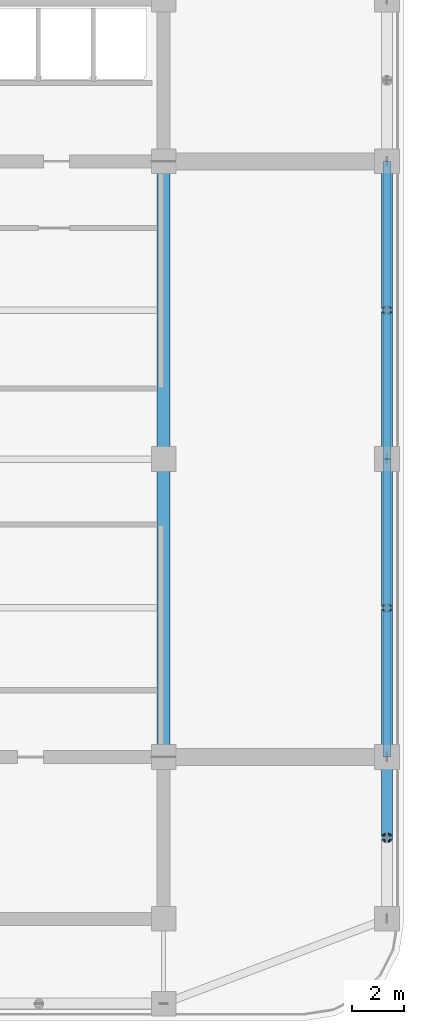
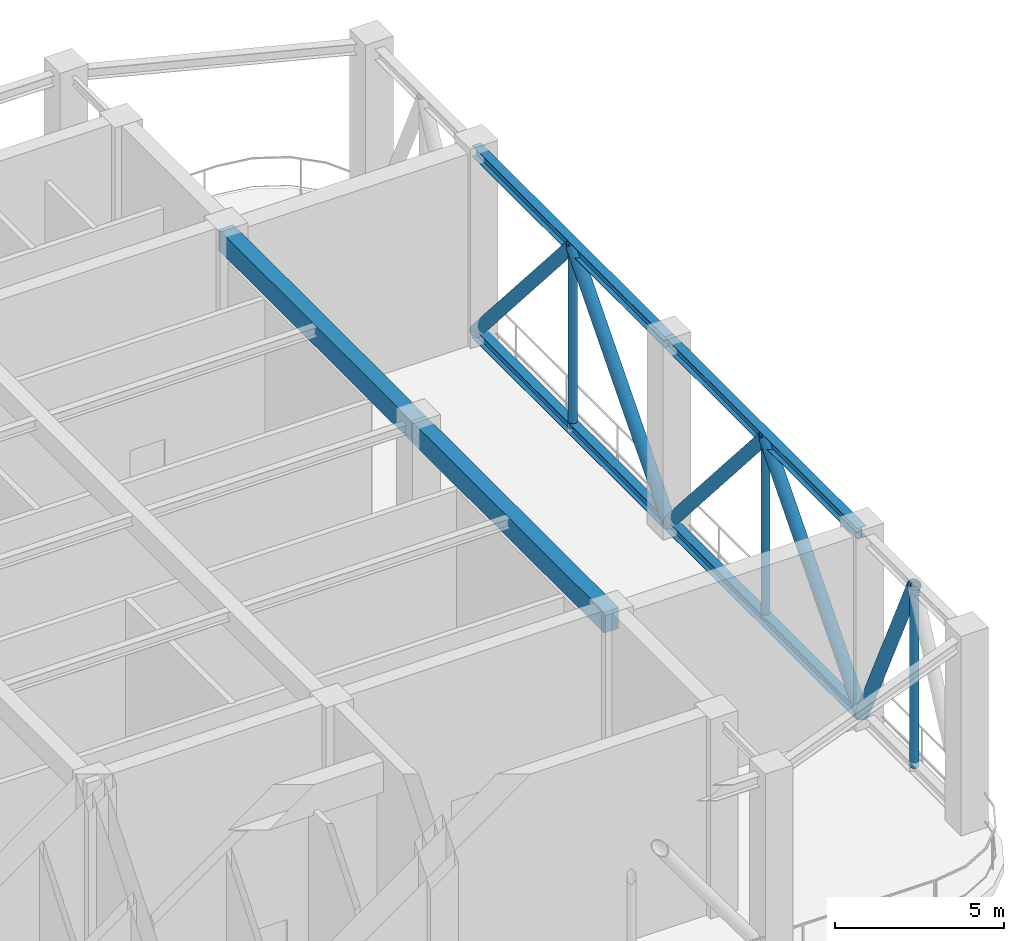
# One storey, part 6 of 20: 8 members, 6 beams.
"""IFC4 building model written with IfcOpenShell, lengths in metres."""

import ifcopenshell
import ifcopenshell.guid

model = None  # the IFC model being written
_history = None  # IfcOwnerHistory: only IFC2X3 demands one
_inside = {}  # id of a spatial element -> (the spatial element, [elements in it])
_under = {}  # id of a project, library or spatial element -> (it, [spatial elements below it])
_declared = {}  # id of a project -> (the project, [libraries it declares])
_typed = {}  # id of a type object -> (the type object, [elements of that type])
_made_of = {}  # id of a material, layer set ... -> (it, [elements and type objects made of it])


def new_model(schema):
    """Start an empty IFC model of exactly this schema.

    Asked for "IFC4X3", IfcOpenShell would pick the latest addendum, in which some entities
    have other attributes; the version numbers below select the first issue.
    IFC2X3 requires an IfcOwnerHistory on every rooted entity: one is made here for all.
    """
    global model, _history
    if schema == "IFC4X3":
        model = ifcopenshell.file(schema_version=(4, 3, 0, 0))
    else:
        model = ifcopenshell.file(schema=schema)
    _inside.clear()
    _under.clear()
    _declared.clear()
    _typed.clear()
    _made_of.clear()
    _history = None
    if model.schema == "IFC2X3":
        org = make("IfcOrganization", Name="unknown")
        user = make(
            "IfcPersonAndOrganization",
            ThePerson=make("IfcPerson", FamilyName="unknown"),
            TheOrganization=org,
        )
        app = make(
            "IfcApplication",
            ApplicationDeveloper=org,
            Version="unknown",
            ApplicationFullName="unknown",
            ApplicationIdentifier="unknown",
        )
        _history = make(
            "IfcOwnerHistory",
            OwningUser=user,
            OwningApplication=app,
            ChangeAction="ADDED",
            CreationDate=0,
        )
    return model


def make(cls, **values):
    """One entity of the class cls with the attributes given. An attribute that is None is left unset."""
    return model.create_entity(
        cls, **{name: value for name, value in values.items() if value is not None}
    )


def rooted(cls, **values):
    """An entity with a GlobalId (a new one), such as an element, a storey or a relation."""
    return make(cls, GlobalId=ifcopenshell.guid.new(), OwnerHistory=_history, **values)


def si_unit(unit_type, name, prefix=None):
    """IfcSIUnit, for example si_unit("LENGTHUNIT", "METRE", prefix="MILLI")."""
    return make("IfcSIUnit", UnitType=unit_type, Prefix=prefix, Name=name)


def assignment(units):
    """IfcUnitAssignment: the units of a project."""
    return None if units is None else make("IfcUnitAssignment", Units=units)


def point(xyz):
    """IfcCartesianPoint."""
    return None if xyz is None else make("IfcCartesianPoint", Coordinates=xyz)


def direction(xyz):
    """IfcDirection."""
    return None if xyz is None else make("IfcDirection", DirectionRatios=xyz)


def frame(location, z_axis=None, x_axis=None):
    """IfcAxis2Placement3D, a coordinate frame: its origin and axes. An axis left out is left unset."""
    return make(
        "IfcAxis2Placement3D",
        Location=point(location),
        Axis=direction(z_axis),
        RefDirection=direction(x_axis),
    )


def frame_2d(location, x_axis=None):
    """IfcAxis2Placement2D, a coordinate frame in the plane: its origin and x axis."""
    return make(
        "IfcAxis2Placement2D", Location=point(location), RefDirection=direction(x_axis)
    )


def origin():
    """The frame at (0, 0, 0) with its axes left unset."""
    return frame((0.0, 0.0, 0.0))


def origin_2d():
    """The frame at (0, 0) in the plane with its x axis left unset."""
    return frame_2d((0.0, 0.0))


def place(relative_to, where):
    """IfcLocalPlacement: puts the frame where relative to a parent placement (None: the world)."""
    return make(
        "IfcLocalPlacement", PlacementRelTo=relative_to, RelativePlacement=where
    )


def context(
    kind, dimensions, precision=None, world=None, true_north=None, identifier=None
):
    """IfcGeometricRepresentationContext, for example the 3D "Model" context."""
    return make(
        "IfcGeometricRepresentationContext",
        ContextIdentifier=identifier,
        ContextType=kind,
        CoordinateSpaceDimension=dimensions,
        Precision=precision,
        WorldCoordinateSystem=world,
        TrueNorth=true_north,
    )


def subcontext(parent, identifier, kind, view, scale=None):
    """IfcGeometricRepresentationSubContext, for example "Body" below "Model"."""
    return make(
        "IfcGeometricRepresentationSubContext",
        ContextIdentifier=identifier,
        ContextType=kind,
        ParentContext=parent,
        TargetScale=scale,
        TargetView=view,
    )


def project(units=None, contexts=None):
    """IfcProject with its units and contexts."""
    return rooted(
        "IfcProject",
        Name="project",
        RepresentationContexts=contexts,
        UnitsInContext=assignment(units),
    )


def spatial(cls, under=None, at=None, **own):
    """A site, building, storey or space (cls), placed at a placement, below another one or the project."""
    s = rooted(cls, ObjectPlacement=at, **own)
    if under is not None:
        _under.setdefault(under.id(), (under, []))[1].append(s)
    return s


def profile(cls, at=None, kind="AREA", **sizes):
    """A parametric profile (cls). Its sizes go by their IFC names, for example OverallWidth=200.0."""
    return make(cls, ProfileType=kind, Position=at, **sizes)


def rectangle(**sizes):
    """IfcRectangleProfileDef."""
    return profile("IfcRectangleProfileDef", **sizes)


def hollow_circle(**sizes):
    """IfcCircleHollowProfileDef."""
    return profile("IfcCircleHollowProfileDef", **sizes)


def i_section(**sizes):
    """IfcIShapeProfileDef."""
    return profile("IfcIShapeProfileDef", **sizes)


def extrude(swept, where, along, depth):
    """IfcExtrudedAreaSolid: the profile swept, set in the frame where, extruded along a direction by depth."""
    return make(
        "IfcExtrudedAreaSolid",
        SweptArea=swept,
        Position=where,
        ExtrudedDirection=direction(along),
        Depth=depth,
    )


def shape(context_of_items, identifier, shape_type, items):
    """IfcShapeRepresentation: the items that make up one representation, for example the "Body"."""
    return make(
        "IfcShapeRepresentation",
        ContextOfItems=context_of_items,
        RepresentationIdentifier=identifier,
        RepresentationType=shape_type,
        Items=items,
    )


def material(Name=None, Category=None):
    """IfcMaterial."""
    return make("IfcMaterial", Name=Name, Category=Category)


def material_profile(
    of_material, cross_section, Name=None, Category=None, Priority=None
):
    """IfcMaterialProfile: a cross section and its material."""
    return make(
        "IfcMaterialProfile",
        Name=Name,
        Material=of_material,
        Profile=cross_section,
        Priority=Priority,
        Category=Category,
    )


def profile_set(profiles, Name=None, composite=None):
    """IfcMaterialProfileSet."""
    return make(
        "IfcMaterialProfileSet",
        Name=Name,
        MaterialProfiles=profiles,
        CompositeProfile=composite,
    )


def made_of(thing, what):
    """Note that an element or type object is made of a material, layer set ...; save() writes the relation."""
    if what is not None:
        _made_of.setdefault(what.id(), (what, []))[1].append(thing)
    return thing


def type_object(cls, material=None, **own):
    """A type object (cls), such as IfcWallType, which elements share."""
    return made_of(rooted(cls, **own), material)


def element(
    cls,
    number,
    at=None,
    inside=None,
    cuts=None,
    type_object=None,
    material=None,
    context=None,
    identifier="Body",
    shape_type=None,
    held_by="IfcProductDefinitionShape",
    body=None,
    shapes=None,
    **own,
):
    """One element of the class cls, such as IfcWall. Its Tag is "e" and its number.

    at: its placement. inside: the storey or other place that contains it. cuts: it is an
    opening in that element (IfcRelVoidsElement). A single representation is given by context,
    identifier, shape_type and body (its items); several are given by shapes. held_by: the class
    of the entity that holds the representations. save() writes the other relations.
    """
    e = rooted(cls, Tag="e%d" % number, ObjectPlacement=at, **own)
    if body is not None:
        shapes = [shape(context, identifier, shape_type, body)]
    if shapes is not None:
        e.Representation = make(held_by, Representations=shapes)
    if inside is not None:
        _inside.setdefault(inside.id(), (inside, []))[1].append(e)
    if cuts is not None:
        rooted(
            "IfcRelVoidsElement", RelatingBuildingElement=cuts, RelatedOpeningElement=e
        )
    if type_object is not None:
        _typed.setdefault(type_object.id(), (type_object, []))[1].append(e)
    return made_of(e, material)


def aggregate(whole, parts):
    """IfcRelAggregates: a whole, such as a stair, and the parts it consists of."""
    return rooted("IfcRelAggregates", RelatingObject=whole, RelatedObjects=parts)


def save(model, path):
    """Write the relations noted so far, then the file.

    IfcRelAggregates (storeys below a building ...), IfcRelContainedInSpatialStructure (elements
    in a storey), IfcRelDefinesByType, IfcRelAssociatesMaterial and IfcRelDeclares: one each for
    every whole, place, type object, material and project.
    """
    for whole, parts in _under.values():
        aggregate(whole, parts)
    for where, things in _inside.values():
        rooted(
            "IfcRelContainedInSpatialStructure",
            RelatedElements=things,
            RelatingStructure=where,
        )
    for kind, things in _typed.values():
        rooted("IfcRelDefinesByType", RelatedObjects=things, RelatingType=kind)
    for what, things in _made_of.values():
        rooted("IfcRelAssociatesMaterial", RelatedObjects=things, RelatingMaterial=what)
    for by, libraries in _declared.values():
        rooted("IfcRelDeclares", RelatingContext=by, RelatedDefinitions=libraries)
    model.write(path)


model = new_model("IFC4")

# Units and contexts
model_context = context("Model", 3, precision=1e-05, world=origin(), true_north=direction((0.0, 1.0)))
body_context = subcontext(model_context, "Body", "Model", "MODEL_VIEW")
ifc_project = project(units=[si_unit("LENGTHUNIT", "METRE"), si_unit("AREAUNIT", "SQUARE_METRE"), si_unit("VOLUMEUNIT", "CUBIC_METRE"), si_unit("PLANEANGLEUNIT", "RADIAN"), si_unit("MASSUNIT", "GRAM", prefix="KILO")], contexts=[model_context])

# Site, building, storey
site_placement = place(None, origin())
site = spatial("IfcSite", under=ifc_project, at=site_placement, CompositionType="ELEMENT")
building_placement = place(site_placement, origin())
building = spatial("IfcBuilding", under=site, at=building_placement, Name="Svetorya Sky Lyceum", CompositionType="ELEMENT")
storey_placement = place(building_placement, frame((0.0, 0.0, 195.89990234375)))
storey = spatial("IfcBuildingStorey", under=building, at=storey_placement, Name="L49", CompositionType="ELEMENT", Elevation=195.89990234375)

# Beams
ifc_material_1 = material(Name="Concrete C50/60", Category="concrete")
ifc_material_profile_1 = material_profile(ifc_material_1, rectangle(XDim=0.5, YDim=0.75, at=origin_2d()), Name="RC BEAM 500x750")
ifc_profile_set_1 = profile_set([ifc_material_profile_1], Name="Concrete C50/60")
beam_type_1 = type_object("IfcBeamType", Name="BM-RC-750", PredefinedType="BEAM", material=ifc_profile_set_1)
beam_1_placement = place(storey_placement, frame((52.800048828125, 16.800048828125, 6.565185546875), z_axis=(0.0, 1.0, 0.0), x_axis=(-1.0, 0.0, 0.0)))
element("IfcBeam", 1, at=beam_1_placement, inside=storey, type_object=beam_type_1, Name="L49 Central Bay Primary Girder CG-4A", PredefinedType="BEAM", context=body_context, shape_type="SweptSolid", body=[
    extrude(rectangle(XDim=0.5, YDim=0.75, at=origin_2d()), origin(), (0.0, 0.0, 1.0), 11.39990234375),
])
beam_2_placement = place(storey_placement, frame((52.800048828125, 28.199951171875, 6.565185546875), z_axis=(0.0, 1.0, 0.0), x_axis=(-1.0, 0.0, 0.0)))
element("IfcBeam", 2, at=beam_2_placement, inside=storey, type_object=beam_type_1, Name="L49 Central Bay Primary Girder CG-4B", PredefinedType="BEAM", context=body_context, shape_type="SweptSolid", body=[
    extrude(rectangle(XDim=0.5, YDim=0.75, at=origin_2d()), origin(), (0.0, 0.0, 1.0), 11.400146484375),
])
ifc_material_2 = material(Name="Steel S355", Category="steel")
ifc_material_profile_2 = material_profile(ifc_material_2, i_section(OverallWidth=0.300048828125, OverallDepth=0.39404296875, WebThickness=0.010986328125, FlangeThickness=0.0166015625, at=origin_2d()), Name="GOST 40Sh2")
ifc_profile_set_2 = profile_set([ifc_material_profile_2], Name="Steel S355")
beam_type_2 = type_object("IfcBeamType", Name="BM-STL-40SH2", PredefinedType="BEAM", material=ifc_profile_set_2)
for number, where, z_axis, x_axis, name in (
    (3, (61.35009765625, 16.800048828125, 0.197021484375), (0.0, 1.0, 0.0), (-1.0, 0.0, 0.0), "L49 Belt Truss Bottom Chord E-2"),
    (4, (61.35009765625, 16.800048828125, 6.7431640625), (0.0, 1.0, 0.0), (-1.0, 0.0, 0.0), "L49 Belt Truss Top Chord E-2"),
):
    element("IfcBeam", number, at=place(storey_placement, frame(where, z_axis=z_axis, x_axis=x_axis)), inside=storey, type_object=beam_type_2, Name=name, PredefinedType="BEAM", context=body_context, shape_type="SweptSolid", body=[
        extrude(i_section(OverallWidth=0.300048828125, OverallDepth=0.39404296875, WebThickness=0.010986328125, FlangeThickness=0.0166015625, at=origin_2d()), origin(), (0.0, 0.0, 1.0), 11.39990234375),
    ])
for number, where, z_axis, x_axis, name in (
    (5, (61.35009765625, 28.199951171875, 0.197021484375), (0.0, 1.0, 0.0), (-1.0, 0.0, 0.0), "L49 Belt Truss Bottom Chord E-3"),
    (6, (61.35009765625, 28.199951171875, 6.7431640625), (0.0, 1.0, 0.0), (-1.0, 0.0, 0.0), "L49 Belt Truss Top Chord E-3"),
):
    element("IfcBeam", number, at=place(storey_placement, frame(where, z_axis=z_axis, x_axis=x_axis)), inside=storey, type_object=beam_type_2, Name=name, PredefinedType="BEAM", context=body_context, shape_type="SweptSolid", body=[
        extrude(i_section(OverallWidth=0.300048828125, OverallDepth=0.39404296875, WebThickness=0.010986328125, FlangeThickness=0.0166015625, at=origin_2d()), origin(), (0.0, 0.0, 1.0), 11.400146484375),
    ])

# Members
ifc_material_profile_3 = material_profile(ifc_material_2, hollow_circle(Radius=0.212890625, WallThickness=0.01806640625, at=origin_2d()), Name="CHS 426x18")
ifc_profile_set_3 = profile_set([ifc_material_profile_3], Name="Steel S355")
member_type_1 = type_object("IfcMemberType", Name="MB-BRC-CHS426", PredefinedType="BRACE", material=ifc_profile_set_3)
member_1_placement = place(storey_placement, frame((61.35009765625, 16.800048828125, 0.197021484375), z_axis=(0.0, -0.428006652086, 0.903775583743), x_axis=(1.0, 0.0, 0.0)))
element("IfcMember", 7, at=member_1_placement, inside=storey, type_object=member_type_1, Name="L49 Belt Truss Diagonal E-1B", PredefinedType="BRACE", context=body_context, shape_type="SweptSolid", body=[
    extrude(hollow_circle(Radius=0.212890625, WallThickness=0.01806640625, at=origin_2d()), origin(), (0.0, 0.0, 1.0), 7.2431640625),
])
for number, where, z_axis, x_axis, name in (
    (8, (61.35009765625, 16.800048828125, 0.197021484375), (0.0, 0.656680646907, 0.754168766244), (-1.0, 0.0, 0.0), "L49 Belt Truss Diagonal E-2A"),
    (9, (61.35009765625, 28.199951171875, 0.197021484375), (0.0, -0.656680646907, 0.754168766244), (1.0, 0.0, 0.0), "L49 Belt Truss Diagonal E-2B"),
    (10, (61.35009765625, 28.199951171875, 0.197021484375), (0.0, 0.656680646907, 0.754168766244), (-1.0, 0.0, 0.0), "L49 Belt Truss Diagonal E-3A"),
):
    element("IfcMember", number, at=place(storey_placement, frame(where, z_axis=z_axis, x_axis=x_axis)), inside=storey, type_object=member_type_1, Name=name, PredefinedType="BRACE", context=body_context, shape_type="SweptSolid", body=[
        extrude(hollow_circle(Radius=0.212890625, WallThickness=0.01806640625, at=origin_2d()), origin(), (0.0, 0.0, 1.0), 8.679931640625),
    ])
member_2_placement = place(storey_placement, frame((61.35009765625, 39.60009765625, 0.197021484375), z_axis=(0.0, -0.656696644262, 0.754154836499), x_axis=(1.0, 0.0, 0.0)))
element("IfcMember", 11, at=member_2_placement, inside=storey, type_object=member_type_1, Name="L49 Belt Truss Diagonal E-3B", PredefinedType="BRACE", context=body_context, shape_type="SweptSolid", body=[
    extrude(hollow_circle(Radius=0.212890625, WallThickness=0.01806640625, at=origin_2d()), origin(), (0.0, 0.0, 1.0), 8.68017578125),
])
ifc_material_profile_4 = material_profile(ifc_material_2, hollow_circle(Radius=0.136474609375, WallThickness=0.011962890625, at=origin_2d()), Name="CHS 273x12")
ifc_profile_set_4 = profile_set([ifc_material_profile_4], Name="Steel S355")
member_type_2 = type_object("IfcMemberType", Name="MB-STR-CHS273", PredefinedType="STRUT", material=ifc_profile_set_4)
for number, where, z_axis, x_axis, name in (
    (12, (61.35009765625, 13.699951171875, 0.197021484375), (0.0, 0.0, 1.0), (1.0, 0.0, 0.0), "L49 Belt Truss Post E-1"),
    (13, (61.35009765625, 22.5, 0.197021484375), (0.0, 0.0, 1.0), (1.0, 0.0, 0.0), "L49 Belt Truss Post E-2"),
    (14, (61.35009765625, 33.89990234375, 0.197021484375), (0.0, 0.0, 1.0), (1.0, 0.0, 0.0), "L49 Belt Truss Post E-3"),
):
    element("IfcMember", number, at=place(storey_placement, frame(where, z_axis=z_axis, x_axis=x_axis)), inside=storey, type_object=member_type_2, Name=name, PredefinedType="STRUT", context=body_context, shape_type="SweptSolid", body=[
        extrude(hollow_circle(Radius=0.136474609375, WallThickness=0.011962890625, at=origin_2d()), origin(), (0.0, 0.0, 1.0), 6.546142578125),
    ])

save(model, "model.ifc")
